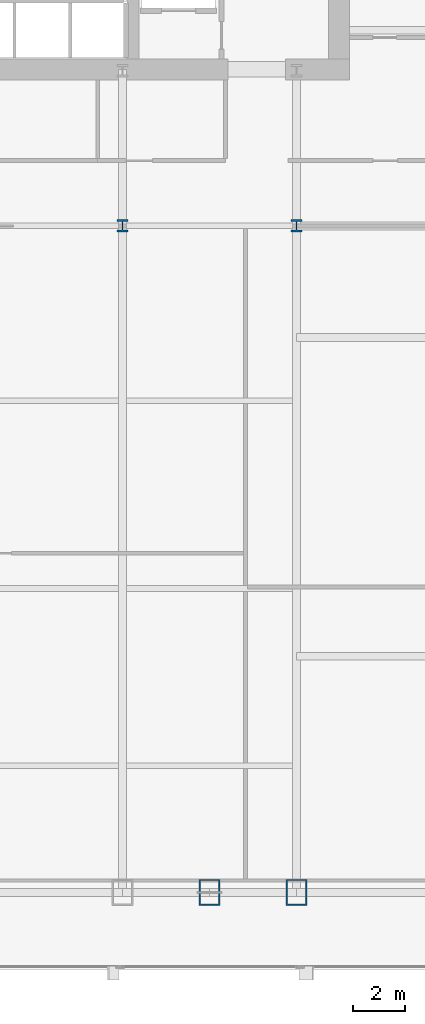
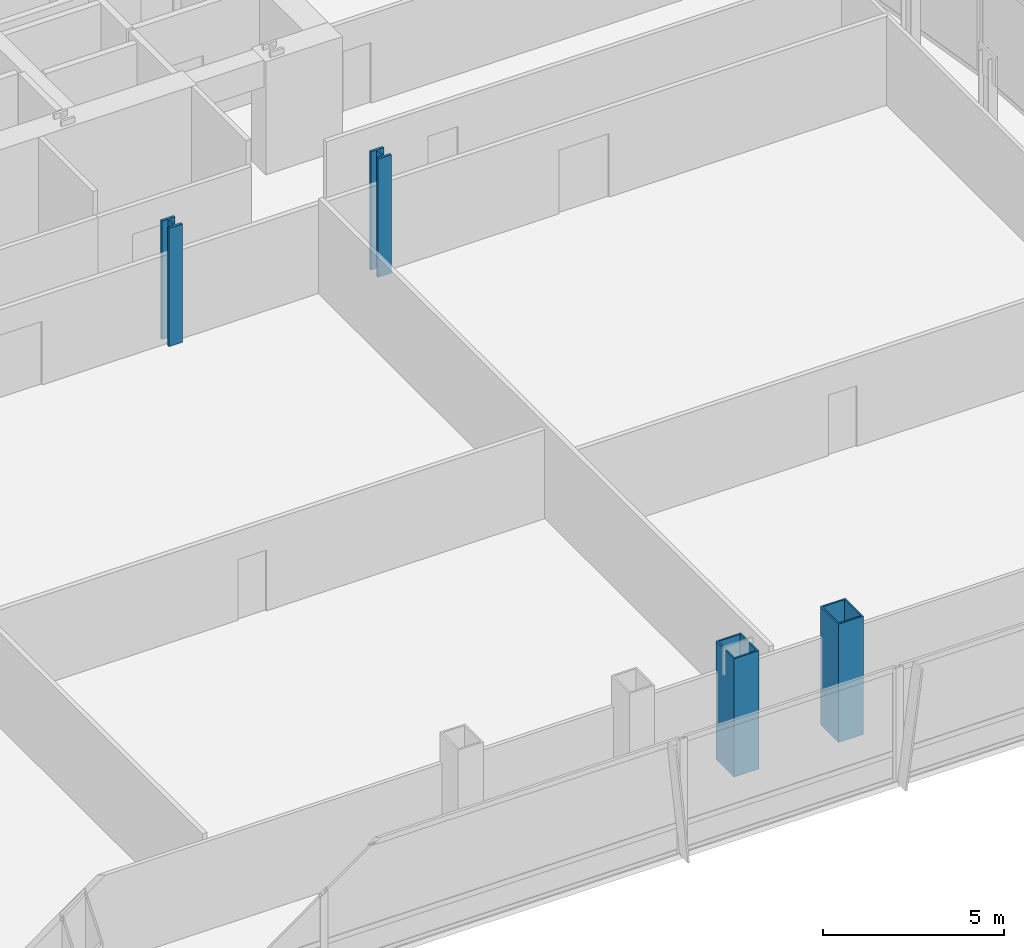
# One storey, part 2 of 36: 4 columns.
"""IFC4 building model written with IfcOpenShell, lengths in metres."""

from ifc_helpers import new_model, si_unit, direction, frame, origin, origin_2d, place, context, subcontext, project, spatial, hollow_rectangle, i_section, extrude, material, material_profile, profile_set, type_object, element, save


model = new_model("IFC4")

# Units and contexts
model_context = context("Model", 3, precision=1e-05, world=origin(), true_north=direction((0.0, 1.0)))
body_context = subcontext(model_context, "Body", "Model", "MODEL_VIEW")
ifc_project = project(units=[si_unit("LENGTHUNIT", "METRE"), si_unit("AREAUNIT", "SQUARE_METRE"), si_unit("VOLUMEUNIT", "CUBIC_METRE"), si_unit("PLANEANGLEUNIT", "RADIAN"), si_unit("MASSUNIT", "GRAM", prefix="KILO")], contexts=[model_context])

# Site, building, storey
site_placement = place(None, origin())
site = spatial("IfcSite", under=ifc_project, at=site_placement, CompositionType="ELEMENT")
building_placement = place(site_placement, origin())
building = spatial("IfcBuilding", under=site, at=building_placement, Name="Khoronbel Lancet Exchange", CompositionType="ELEMENT")
storey_placement = place(building_placement, frame((0.0, 0.0, 57.800048828125)))
storey = spatial("IfcBuildingStorey", under=building, at=storey_placement, Name="L13", CompositionType="ELEMENT", Elevation=57.800048828125)

# Columns
ifc_material = material(Name="Steel S460", Category="steel")
ifc_material_profile_1 = material_profile(ifc_material, hollow_rectangle(XDim=0.800048828125, YDim=1.0, WallThickness=0.054931640625, at=origin_2d()), Name="BOX 1000x800x55")
ifc_profile_set_1 = profile_set([ifc_material_profile_1], Name="Steel S460")
column_type_1 = type_object("IfcColumnType", Name="COL-EC1", PredefinedType="COLUMN", material=ifc_profile_set_1)
for number, where, z_axis, x_axis, name in (
    (1, (51.33740234375, 10.14990234375, 0.0), (0.0, 0.0, 1.0), (1.0, 0.0, 0.0), "Structural column SC-EM L13"),
    (2, (54.675048828125, 10.14990234375, 0.0), (0.0, 0.0, 1.0), (1.0, 0.0, 0.0), "Structural column SC-E2 L13"),
):
    element("IfcColumn", number, at=place(storey_placement, frame(where, z_axis=z_axis, x_axis=x_axis)), inside=storey, type_object=column_type_1, Name=name, PredefinedType="COLUMN", context=body_context, shape_type="SweptSolid", body=[
        extrude(hollow_rectangle(XDim=0.800048828125, YDim=1.0, WallThickness=0.054931640625, at=origin_2d()), origin(), (0.0, 0.0, 1.0), 4.0),
    ])
ifc_material_profile_2 = material_profile(ifc_material, i_section(OverallWidth=0.424072265625, OverallDepth=0.47412109375, WebThickness=0.047607421875, FlangeThickness=0.076904296875, at=origin_2d()), Name="HD 400x634")
ifc_profile_set_2 = profile_set([ifc_material_profile_2], Name="Steel S460")
column_type_2 = type_object("IfcColumnType", Name="COL-IC1", PredefinedType="COLUMN", material=ifc_profile_set_2)
for number, where, z_axis, x_axis, name in (
    (3, (48.0, 35.699951171875, 0.0), (0.0, 0.0, 1.0), (1.0, 0.0, 0.0), "Spine gravity column TC3 L13"),
    (4, (54.675048828125, 35.699951171875, 0.0), (0.0, 0.0, 1.0), (1.0, 0.0, 0.0), "Spine gravity column TC4 L13"),
):
    element("IfcColumn", number, at=place(storey_placement, frame(where, z_axis=z_axis, x_axis=x_axis)), inside=storey, type_object=column_type_2, Name=name, PredefinedType="COLUMN", context=body_context, shape_type="SweptSolid", body=[
        extrude(i_section(OverallWidth=0.424072265625, OverallDepth=0.47412109375, WebThickness=0.047607421875, FlangeThickness=0.076904296875, at=origin_2d()), origin(), (0.0, 0.0, 1.0), 4.0),
    ])

save(model, "model.ifc")
